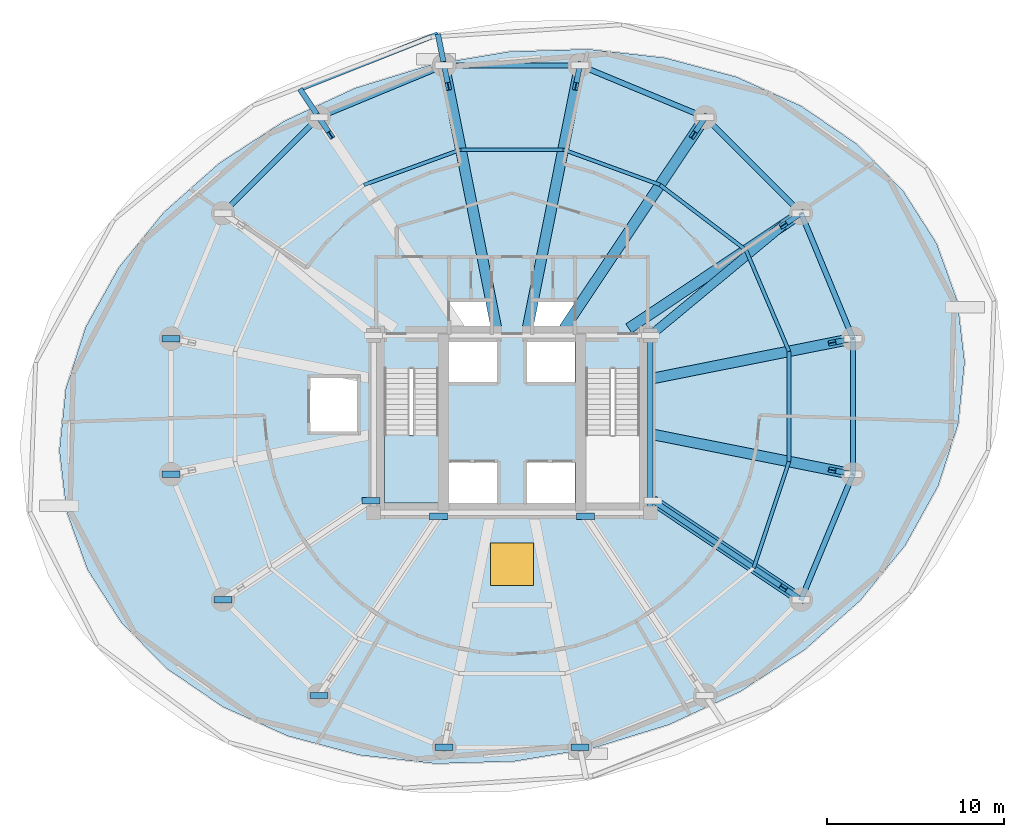
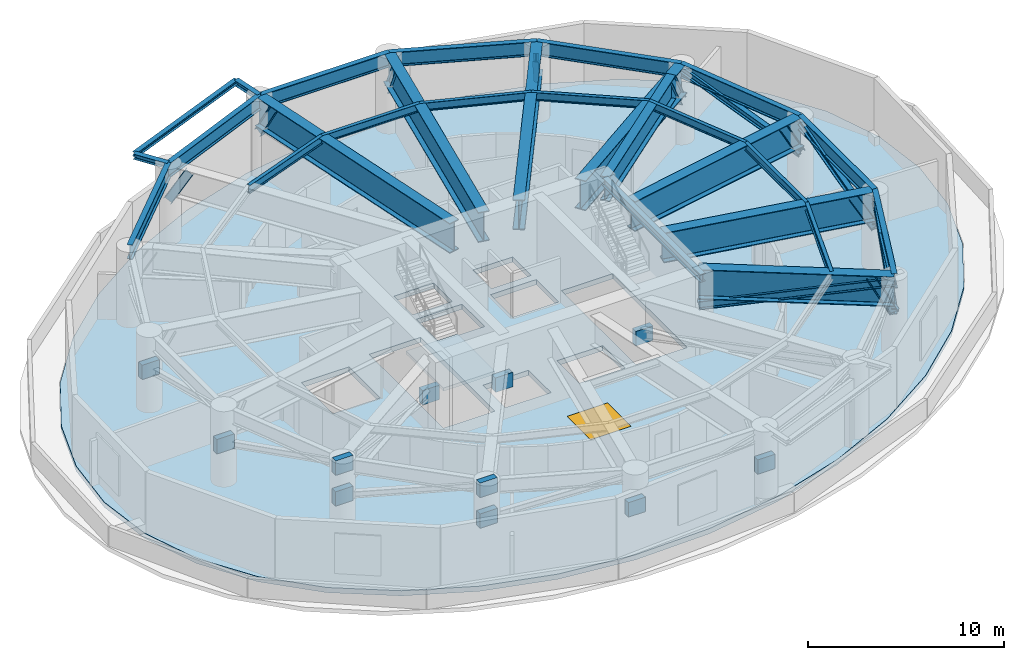
# One storey, part 2 of 8: 27 beams, 12 members, 11 plates, 2 slabs, 1 window, 1 opening, 1 element without a shape of its own.
"""IFC4 building model written with IfcOpenShell, lengths in metres."""

from ifc_helpers import new_model, si_unit, direction, frame, origin, origin_2d, place, context, subcontext, project, spatial, polyline, rectangle, i_section, outline, extrude, material, layer, layer_set, material_profile, profile_set, type_object, element, fill, aggregate, save


model = new_model("IFC4")

# Units and contexts
model_context = context("Model", 3, precision=1e-05, world=origin(), true_north=direction((0.0, 1.0)))
body_context = subcontext(model_context, "Body", "Model", "MODEL_VIEW")
ifc_project = project(units=[si_unit("LENGTHUNIT", "METRE"), si_unit("AREAUNIT", "SQUARE_METRE"), si_unit("VOLUMEUNIT", "CUBIC_METRE"), si_unit("PLANEANGLEUNIT", "RADIAN"), si_unit("MASSUNIT", "GRAM", prefix="KILO"), si_unit("THERMODYNAMICTEMPERATUREUNIT", "KELVIN"), si_unit("POWERUNIT", "WATT")], contexts=[model_context])

# Site, building, storey
site_placement = place(None, origin())
site = spatial("IfcSite", under=ifc_project, at=site_placement, CompositionType="ELEMENT")
building_placement = place(site_placement, origin())
building = spatial("IfcBuilding", under=site, at=building_placement, Name="Ocrelia Relay Tower", CompositionType="ELEMENT")
storey_placement = place(building_placement, frame((0.0, 0.0, 88.800048828125)))
storey = spatial("IfcBuildingStorey", under=building, at=storey_placement, Name="L20", CompositionType="ELEMENT", Elevation=88.800048828125)

# Beams
ifc_material_1 = material(Name="Steel S355", Category="steel")
ifc_material_profile_1 = material_profile(ifc_material_1, i_section(OverallWidth=0.280029296875, OverallDepth=0.27001953125, WebThickness=0.008056640625, FlangeThickness=0.012939453125, FilletRadius=0.02392578125, at=origin_2d()), Name="HEA 280")
ifc_profile_set_1 = profile_set([ifc_material_profile_1], Name="Steel S355")
beam_type_1 = type_object("IfcBeamType", Name="BM-HEA280", PredefinedType="BEAM", material=ifc_profile_set_1)
beam_1_placement = place(storey_placement, frame((29.824951171875, 46.98876953125, 4.5849609375), z_axis=(-0.929424546745, -0.369012211054, 0.0), x_axis=(0.369012211054, -0.929424546745, 0.0)))
element("IfcBeam", 1, at=beam_1_placement, inside=storey, type_object=beam_type_1, Name="L21 Balcony Edge Trimmer Beam B1", PredefinedType="BEAM", context=body_context, shape_type="SweptSolid", body=[
    extrude(i_section(OverallWidth=0.280029296875, OverallDepth=0.27001953125, WebThickness=0.008056640625, FlangeThickness=0.012939453125, FilletRadius=0.02392578125, at=origin_2d()), origin(), (0.0, 0.0, 1.0), 8.375244140625),
])
ifc_material_profile_2 = material_profile(ifc_material_1, i_section(OverallWidth=0.300048828125, OverallDepth=0.330078125, WebThickness=0.009521484375, FlangeThickness=0.0166015625, FilletRadius=0.027099609375, at=origin_2d()), Name="HEA 340")
ifc_profile_set_2 = profile_set([ifc_material_profile_2], Name="Steel S355")
beam_type_2 = type_object("IfcBeamType", Name="BM-HEA340", PredefinedType="BEAM", material=ifc_profile_set_2)
beam_2_placement = place(storey_placement, frame((30.17626953125, 45.223388671875, 4.554931640625), z_axis=(-0.19517704197, 0.980768026746, 0.0), x_axis=(-0.980768026746, -0.19517704197, 0.0)))
element("IfcBeam", 2, at=beam_2_placement, inside=storey, type_object=beam_type_2, Name="L21 Balcony Cantilever Beam B1-1", PredefinedType="BEAM", context=body_context, shape_type="SweptSolid", body=[
    extrude(i_section(OverallWidth=0.300048828125, OverallDepth=0.330078125, WebThickness=0.009521484375, FlangeThickness=0.0166015625, FilletRadius=0.027099609375, at=origin_2d()), origin(), (0.0, 0.0, 1.0), 1.800048828125),
])
beam_3_placement = place(storey_placement, frame((23.11083984375, 42.296875, 4.554931640625), z_axis=(-0.555606717092, 0.831445233267, 0.0), x_axis=(-0.831445233267, -0.555606717092, 0.0)))
element("IfcBeam", 3, at=beam_3_placement, inside=storey, type_object=beam_type_2, Name="L21 Balcony Cantilever Beam B1-2", PredefinedType="BEAM", context=body_context, shape_type="SweptSolid", body=[
    extrude(i_section(OverallWidth=0.300048828125, OverallDepth=0.330078125, WebThickness=0.009521484375, FlangeThickness=0.0166015625, FilletRadius=0.027099609375, at=origin_2d()), origin(), (0.0, 0.0, 1.0), 1.926025390625),
])
ifc_material_profile_3 = material_profile(ifc_material_1, i_section(OverallWidth=0.300048828125, OverallDepth=0.5, WebThickness=0.014404296875, FlangeThickness=0.028076171875, FilletRadius=0.027099609375, at=origin_2d()), Name="HEB 500")
ifc_profile_set_3 = profile_set([ifc_material_profile_3], Name="Steel S355")
beam_type_3 = type_object("IfcBeamType", Name="BM-HEB500", PredefinedType="BEAM", material=ifc_profile_set_3)
beam_4_placement = place(storey_placement, frame((41.800048828125, 20.0, 4.469970703125), z_axis=(0.0, 1.0, 0.0), x_axis=(-1.0, 0.0, 0.0)))
element("IfcBeam", 4, at=beam_4_placement, inside=storey, type_object=beam_type_3, Name="L20 Core Pilaster Tie Beam E", PredefinedType="BEAM", context=body_context, shape_type="SweptSolid", body=[
    extrude(i_section(OverallWidth=0.300048828125, OverallDepth=0.5, WebThickness=0.014404296875, FlangeThickness=0.028076171875, FilletRadius=0.027099609375, at=origin_2d()), origin(), (0.0, 0.0, 1.0), 10.0),
])
ifc_material_profile_4 = material_profile(ifc_material_1, i_section(OverallWidth=0.300048828125, OverallDepth=0.89990234375, WebThickness=0.0185546875, FlangeThickness=0.034912109375, FilletRadius=0.030029296875, at=origin_2d()), Name="HEB 900")
ifc_profile_set_4 = profile_set([ifc_material_profile_4], Name="Steel S355")
beam_type_4 = type_object("IfcBeamType", Name="BM-HEB900", PredefinedType="BEAM", material=ifc_profile_set_4)
beam_5_placement = place(storey_placement, frame((53.223388671875, 29.82373046875, 4.27001953125), z_axis=(-0.382674154222, 0.923883375589, 0.0), x_axis=(-0.923883375589, -0.382674154222, 0.0)))
element("IfcBeam", 5, at=beam_5_placement, inside=storey, type_object=beam_type_4, Name="L20 Perimeter Spandrel Beam S01", PredefinedType="BEAM", context=body_context, shape_type="SweptSolid", body=[
    extrude(i_section(OverallWidth=0.300048828125, OverallDepth=0.89990234375, WebThickness=0.0185546875, FlangeThickness=0.034912109375, FilletRadius=0.030029296875, at=origin_2d()), origin(), (0.0, 0.0, 1.0), 7.6474609375),
])
beam_6_placement = place(storey_placement, frame((50.296875, 36.88916015625, 4.27001953125), z_axis=(-0.707106781187, 0.707106781187, 0.0), x_axis=(-0.707106781187, -0.707106781187, 0.0)))
element("IfcBeam", 6, at=beam_6_placement, inside=storey, type_object=beam_type_4, Name="L20 Perimeter Spandrel Beam S02", PredefinedType="BEAM", context=body_context, shape_type="SweptSolid", body=[
    extrude(i_section(OverallWidth=0.300048828125, OverallDepth=0.89990234375, WebThickness=0.0185546875, FlangeThickness=0.034912109375, FilletRadius=0.030029296875, at=origin_2d()), origin(), (0.0, 0.0, 1.0), 7.647705078125),
])
for number, where, z_axis, x_axis, name in (
    (7, (44.88916015625, 42.296875, 4.27001953125), (-0.923883375589, 0.382674154222, 0.0), (-0.382674154222, -0.923883375589, 0.0), "L20 Perimeter Spandrel Beam S03"),
    (8, (37.82373046875, 45.223388671875, 4.27001953125), (-1.0, 0.0, 0.0), (0.0, -1.0, 0.0), "L20 Perimeter Spandrel Beam S04"),
    (9, (30.17626953125, 45.223388671875, 4.27001953125), (-0.923883375589, -0.382674154222, 0.0), (0.382674154222, -0.923883375589, 0.0), "L20 Perimeter Spandrel Beam S05"),
):
    element("IfcBeam", number, at=place(storey_placement, frame(where, z_axis=z_axis, x_axis=x_axis)), inside=storey, type_object=beam_type_4, Name=name, PredefinedType="BEAM", context=body_context, shape_type="SweptSolid", body=[
        extrude(i_section(OverallWidth=0.300048828125, OverallDepth=0.89990234375, WebThickness=0.0185546875, FlangeThickness=0.034912109375, FilletRadius=0.030029296875, at=origin_2d()), origin(), (0.0, 0.0, 1.0), 7.6474609375),
    ])
beam_7_placement = place(storey_placement, frame((23.11083984375, 42.296875, 4.27001953125), z_axis=(-0.707106781187, -0.707106781187, 0.0), x_axis=(0.707106781187, -0.707106781187, 0.0)))
element("IfcBeam", 10, at=beam_7_placement, inside=storey, type_object=beam_type_4, Name="L20 Perimeter Spandrel Beam S06", PredefinedType="BEAM", context=body_context, shape_type="SweptSolid", body=[
    extrude(i_section(OverallWidth=0.300048828125, OverallDepth=0.89990234375, WebThickness=0.0185546875, FlangeThickness=0.034912109375, FilletRadius=0.030029296875, at=origin_2d()), origin(), (0.0, 0.0, 1.0), 7.647705078125),
])
for number, where, z_axis, x_axis, name in (
    (11, (50.296875, 15.11083984375, 4.27001953125), (0.382674154222, 0.923883375589, 0.0), (-0.923883375589, 0.382674154222, 0.0), "L20 Perimeter Spandrel Beam S15"),
    (12, (53.223388671875, 22.17626953125, 4.27001953125), (0.0, 1.0, 0.0), (-1.0, 0.0, 0.0), "L20 Perimeter Spandrel Beam S16"),
):
    element("IfcBeam", number, at=place(storey_placement, frame(where, z_axis=z_axis, x_axis=x_axis)), inside=storey, type_object=beam_type_4, Name=name, PredefinedType="BEAM", context=body_context, shape_type="SweptSolid", body=[
        extrude(i_section(OverallWidth=0.300048828125, OverallDepth=0.89990234375, WebThickness=0.0185546875, FlangeThickness=0.034912109375, FilletRadius=0.030029296875, at=origin_2d()), origin(), (0.0, 0.0, 1.0), 7.6474609375),
    ])
ifc_material_profile_5 = material_profile(ifc_material_1, i_section(OverallWidth=0.199951171875, OverallDepth=0.5, WebThickness=0.01025390625, FlangeThickness=0.01611328125, FilletRadius=0.02099609375, at=origin_2d()), Name="IPE 500")
ifc_profile_set_5 = profile_set([ifc_material_profile_5], Name="Steel S355")
beam_type_5 = type_object("IfcBeamType", Name="BM-IPE500", PredefinedType="JOIST", material=ifc_profile_set_5)
beam_8_placement = place(storey_placement, frame((49.615966796875, 29.106201171875, 4.469970703125), z_axis=(-0.391375721261, 0.920230973619, 0.0), x_axis=(-0.920230973619, -0.391375721261, 0.0)))
element("IfcBeam", 13, at=beam_8_placement, inside=storey, type_object=beam_type_5, Name="L20 Secondary Floor Joist J01", PredefinedType="JOIST", context=body_context, shape_type="SweptSolid", body=[
    extrude(i_section(OverallWidth=0.199951171875, OverallDepth=0.5, WebThickness=0.01025390625, FlangeThickness=0.01611328125, FilletRadius=0.02099609375, at=origin_2d()), origin(), (0.0, 0.0, 1.0), 6.201171875),
])
beam_9_placement = place(storey_placement, frame((47.18896484375, 34.812744140625, 4.469970703125), z_axis=(-0.796483912043, 0.604659720716, 0.0), x_axis=(-0.604659720716, -0.796483912043, 0.0)))
element("IfcBeam", 14, at=beam_9_placement, inside=storey, type_object=beam_type_5, Name="L20 Secondary Floor Joist J02", PredefinedType="JOIST", context=body_context, shape_type="SweptSolid", body=[
    extrude(i_section(OverallWidth=0.199951171875, OverallDepth=0.5, WebThickness=0.01025390625, FlangeThickness=0.01611328125, FilletRadius=0.02099609375, at=origin_2d()), origin(), (0.0, 0.0, 1.0), 6.0810546875),
])
beam_10_placement = place(storey_placement, frame((42.345458984375, 38.48974609375, 4.469970703125), z_axis=(-0.939636457061, 0.342174412488, 0.0), x_axis=(-0.342174412488, -0.939636457061, 0.0)))
element("IfcBeam", 15, at=beam_10_placement, inside=storey, type_object=beam_type_5, Name="L20 Secondary Floor Joist J03", PredefinedType="JOIST", context=body_context, shape_type="SweptSolid", body=[
    extrude(i_section(OverallWidth=0.199951171875, OverallDepth=0.5, WebThickness=0.01025390625, FlangeThickness=0.01611328125, FilletRadius=0.02099609375, at=origin_2d()), origin(), (0.0, 0.0, 1.0), 5.81640625),
])
beam_11_placement = place(storey_placement, frame((36.880126953125, 40.47998046875, 4.469970703125), z_axis=(-1.0, 0.0, 0.0), x_axis=(0.0, -1.0, 0.0)))
element("IfcBeam", 16, at=beam_11_placement, inside=storey, type_object=beam_type_5, Name="L20 Secondary Floor Joist J04", PredefinedType="JOIST", context=body_context, shape_type="SweptSolid", body=[
    extrude(i_section(OverallWidth=0.199951171875, OverallDepth=0.5, WebThickness=0.01025390625, FlangeThickness=0.01611328125, FilletRadius=0.02099609375, at=origin_2d()), origin(), (0.0, 0.0, 1.0), 5.76025390625),
])
beam_12_placement = place(storey_placement, frame((31.119873046875, 40.47998046875, 4.469970703125), z_axis=(-0.939636457061, -0.342174412488, 0.0), x_axis=(0.342174412488, -0.939636457061, 0.0)))
element("IfcBeam", 17, at=beam_12_placement, inside=storey, type_object=beam_type_5, Name="L20 Secondary Floor Joist J05", PredefinedType="JOIST", context=body_context, shape_type="SweptSolid", body=[
    extrude(i_section(OverallWidth=0.199951171875, OverallDepth=0.5, WebThickness=0.01025390625, FlangeThickness=0.01611328125, FilletRadius=0.02099609375, at=origin_2d()), origin(), (0.0, 0.0, 1.0), 5.81640625),
])
beam_13_placement = place(storey_placement, frame((47.625732421875, 16.8955078125, 4.469970703125), z_axis=(0.314917882261, 0.949118921649, 0.0), x_axis=(-0.949118921649, 0.314917882261, 0.0)))
element("IfcBeam", 18, at=beam_13_placement, inside=storey, type_object=beam_type_5, Name="L20 Secondary Floor Joist J15", PredefinedType="JOIST", context=body_context, shape_type="SweptSolid", body=[
    extrude(i_section(OverallWidth=0.199951171875, OverallDepth=0.5, WebThickness=0.01025390625, FlangeThickness=0.01611328125, FilletRadius=0.02099609375, at=origin_2d()), origin(), (0.0, 0.0, 1.0), 6.31982421875),
])
beam_14_placement = place(storey_placement, frame((49.615966796875, 22.893798828125, 4.469970703125), z_axis=(0.0, 1.0, 0.0), x_axis=(-1.0, 0.0, 0.0)))
element("IfcBeam", 19, at=beam_14_placement, inside=storey, type_object=beam_type_5, Name="L20 Secondary Floor Joist J16", PredefinedType="JOIST", context=body_context, shape_type="SweptSolid", body=[
    extrude(i_section(OverallWidth=0.199951171875, OverallDepth=0.5, WebThickness=0.01025390625, FlangeThickness=0.01611328125, FilletRadius=0.02099609375, at=origin_2d()), origin(), (0.0, 0.0, 1.0), 6.21240234375),
])
ifc_material_profile_6 = material_profile(ifc_material_1, i_section(OverallWidth=0.5, OverallDepth=1.5, WebThickness=0.02587890625, FlangeThickness=0.0380859375, FilletRadius=0.02001953125, at=origin_2d()), Name="WPG 1500x500")
ifc_profile_set_6 = profile_set([ifc_material_profile_6], Name="Steel S355")
beam_type_6 = type_object("IfcBeamType", Name="BM-WPG1500", PredefinedType="T_BEAM", material=ifc_profile_set_6)
beam_15_placement = place(storey_placement, frame((49.299072265625, 36.222412109375, 3.969970703125), z_axis=(-0.769570862751, -0.638561420072, 0.0), x_axis=(0.638561420072, -0.769570862751, 0.0)))
element("IfcBeam", 20, at=beam_15_placement, inside=storey, type_object=beam_type_6, Name="L20 Zone Setback Core Link Girder XL02", PredefinedType="T_BEAM", context=body_context, shape_type="SweptSolid", body=[
    extrude(i_section(OverallWidth=0.5, OverallDepth=1.5, WebThickness=0.02587890625, FlangeThickness=0.0380859375, FilletRadius=0.02001953125, at=origin_2d()), origin(), (0.0, 0.0, 1.0), 9.744384765625),
])
ifc_material_profile_7 = material_profile(ifc_material_1, i_section(OverallWidth=0.60009765625, OverallDepth=1.85009765625, WebThickness=0.028076171875, FlangeThickness=0.0400390625, FilletRadius=0.02001953125, at=origin_2d()), Name="WPG 1850x600")
ifc_profile_set_7 = profile_set([ifc_material_profile_7], Name="Steel S355")
beam_type_7 = type_object("IfcBeamType", Name="BM-WPG1650", PredefinedType="T_BEAM", material=ifc_profile_set_7)
beam_16_placement = place(storey_placement, frame((53.223388671875, 29.82373046875, 3.794921875), z_axis=(-0.980785188863, -0.195090782218, 0.0), x_axis=(0.195090782218, -0.980785188863, 0.0)))
element("IfcBeam", 21, at=beam_16_placement, inside=storey, type_object=beam_type_7, Name="L20 Radial Transfer Girder R01", PredefinedType="T_BEAM", context=body_context, shape_type="SweptSolid", body=[
    extrude(i_section(OverallWidth=0.60009765625, OverallDepth=1.85009765625, WebThickness=0.028076171875, FlangeThickness=0.0400390625, FilletRadius=0.02001953125, at=origin_2d()), origin(), (0.0, 0.0, 1.0), 11.494384765625),
])
beam_17_placement = place(storey_placement, frame((50.296875, 36.88916015625, 3.794921875), z_axis=(-0.83147102407, -0.555568120155, 0.0), x_axis=(0.555568120155, -0.83147102407, 0.0)))
element("IfcBeam", 22, at=beam_17_placement, inside=storey, type_object=beam_type_7, Name="L20 Radial Transfer Girder R02", PredefinedType="T_BEAM", context=body_context, shape_type="SweptSolid", body=[
    extrude(i_section(OverallWidth=0.60009765625, OverallDepth=1.85009765625, WebThickness=0.028076171875, FlangeThickness=0.0400390625, FilletRadius=0.02001953125, at=origin_2d()), origin(), (0.0, 0.0, 1.0), 11.680419921875),
])
beam_18_placement = place(storey_placement, frame((44.88916015625, 42.296875, 3.794921875), z_axis=(-0.555566163001, -0.831472331788, 0.0), x_axis=(0.831472331788, -0.555566163001, 0.0)))
element("IfcBeam", 23, at=beam_18_placement, inside=storey, type_object=beam_type_7, Name="L20 Radial Transfer Girder R03", PredefinedType="T_BEAM", context=body_context, shape_type="SweptSolid", body=[
    extrude(i_section(OverallWidth=0.60009765625, OverallDepth=1.85009765625, WebThickness=0.028076171875, FlangeThickness=0.0400390625, FilletRadius=0.02001953125, at=origin_2d()), origin(), (0.0, 0.0, 1.0), 14.308349609375),
])
for number, where, z_axis, x_axis, name in (
    (24, (37.82373046875, 45.223388671875, 3.794921875), (-0.195084693772, -0.980786399914, 0.0), (0.980786399914, -0.195084693772, 0.0), "L20 Radial Transfer Girder R04"),
    (25, (30.17626953125, 45.223388671875, 3.794921875), (0.195084693772, -0.980786399914, 0.0), (0.980786399914, 0.195084693772, 0.0), "L20 Radial Transfer Girder R05"),
):
    element("IfcBeam", number, at=place(storey_placement, frame(where, z_axis=z_axis, x_axis=x_axis)), inside=storey, type_object=beam_type_7, Name=name, PredefinedType="T_BEAM", context=body_context, shape_type="SweptSolid", body=[
        extrude(i_section(OverallWidth=0.60009765625, OverallDepth=1.85009765625, WebThickness=0.028076171875, FlangeThickness=0.0400390625, FilletRadius=0.02001953125, at=origin_2d()), origin(), (0.0, 0.0, 1.0), 15.11376953125),
    ])
beam_19_placement = place(storey_placement, frame((50.296875, 15.11083984375, 3.794921875), z_axis=(-0.831473650483, 0.555564189407, 0.0), x_axis=(-0.555564189407, -0.831473650483, 0.0)))
element("IfcBeam", 26, at=beam_19_placement, inside=storey, type_object=beam_type_7, Name="L20 Radial Transfer Girder R15", PredefinedType="T_BEAM", context=body_context, shape_type="SweptSolid", body=[
    extrude(i_section(OverallWidth=0.60009765625, OverallDepth=1.85009765625, WebThickness=0.028076171875, FlangeThickness=0.0400390625, FilletRadius=0.02001953125, at=origin_2d()), origin(), (0.0, 0.0, 1.0), 10.038818359375),
])
beam_20_placement = place(storey_placement, frame((53.223388671875, 22.17626953125, 3.794921875), z_axis=(-0.980785188863, 0.195090782218, 0.0), x_axis=(-0.195090782218, -0.980785188863, 0.0)))
element("IfcBeam", 27, at=beam_20_placement, inside=storey, type_object=beam_type_7, Name="L20 Radial Transfer Girder R16", PredefinedType="T_BEAM", context=body_context, shape_type="SweptSolid", body=[
    extrude(i_section(OverallWidth=0.60009765625, OverallDepth=1.85009765625, WebThickness=0.028076171875, FlangeThickness=0.0400390625, FilletRadius=0.02001953125, at=origin_2d()), origin(), (0.0, 0.0, 1.0), 11.494384765625),
])

# Members
ifc_material_profile_8 = material_profile(ifc_material_1, i_section(OverallWidth=0.300048828125, OverallDepth=0.39990234375, WebThickness=0.013427734375, FlangeThickness=0.02392578125, FilletRadius=0.027099609375, at=origin_2d()), Name="HEB 400")
ifc_profile_set_8 = profile_set([ifc_material_profile_8], Name="Steel S355")
member_type_1 = type_object("IfcMemberType", Name="MB-BELT-DIAG", PredefinedType="BRACE", material=ifc_profile_set_8)
for number, where, z_axis, x_axis, name in (
    (28, (53.223388671875, 29.82373046875, 2.349853515625), (-0.369984847346, 0.893247808642, 0.255381215228), (-0.923883375589, -0.382674154222, 0.0), "L20 Perimeter Belt Truss Diagonal B01"),
    (29, (50.296875, 15.11083984375, 2.349853515625), (0.369984847346, 0.893247808642, 0.255381215228), (-0.923883375589, 0.382674154222, 0.0), "L20 Perimeter Belt Truss Diagonal B15"),
):
    element("IfcMember", number, at=place(storey_placement, frame(where, z_axis=z_axis, x_axis=x_axis)), inside=storey, type_object=member_type_1, Name=name, PredefinedType="BRACE", context=body_context, shape_type="SweptSolid", body=[
        extrude(i_section(OverallWidth=0.300048828125, OverallDepth=0.39990234375, WebThickness=0.013427734375, FlangeThickness=0.02392578125, FilletRadius=0.027099609375, at=origin_2d()), origin(), (0.0, 0.0, 1.0), 7.909912109375),
    ])
member_1_placement = place(storey_placement, frame((53.223388671875, 22.17626953125, 2.349853515625), z_axis=(0.0, 0.966839835348, 0.255383501394), x_axis=(-1.0, 0.0, 0.0)))
element("IfcMember", 30, at=member_1_placement, inside=storey, type_object=member_type_1, Name="L20 Perimeter Belt Truss Diagonal B16", PredefinedType="BRACE", context=body_context, shape_type="SweptSolid", body=[
    extrude(i_section(OverallWidth=0.300048828125, OverallDepth=0.39990234375, WebThickness=0.013427734375, FlangeThickness=0.02392578125, FilletRadius=0.027099609375, at=origin_2d()), origin(), (0.0, 0.0, 1.0), 7.90966796875),
])
ifc_material_profile_9 = material_profile(ifc_material_1, i_section(OverallWidth=0.300048828125, OverallDepth=0.5, WebThickness=0.014404296875, FlangeThickness=0.028076171875, FilletRadius=0.027099609375, at=origin_2d()), Name="HEB 500")
ifc_profile_set_9 = profile_set([ifc_material_profile_9], Name="Steel S355")
member_type_2 = type_object("IfcMemberType", Name="MB-OUTRIGGER-DIAG", PredefinedType="BRACE", material=ifc_profile_set_9)
member_2_placement = place(storey_placement, frame((41.949951171875, 20.68798828125, 2.349853515625), z_axis=(0.816668308984, -0.545671732149, 0.187870257982), x_axis=(0.555564189407, 0.831473650483, 0.0)))
element("IfcMember", 31, at=member_2_placement, inside=storey, type_object=member_type_2, Name="L20 Core Outrigger Truss Brace O15", PredefinedType="BRACE", context=body_context, shape_type="SweptSolid", body=[
    extrude(i_section(OverallWidth=0.300048828125, OverallDepth=0.5, WebThickness=0.014404296875, FlangeThickness=0.028076171875, FilletRadius=0.027099609375, at=origin_2d()), origin(), (0.0, 0.0, 1.0), 10.220703125),
])
ifc_material_profile_10 = material_profile(ifc_material_1, i_section(OverallWidth=0.300048828125, OverallDepth=0.5, WebThickness=0.014404296875, FlangeThickness=0.028076171875, FilletRadius=0.027099609375, at=origin_2d()), Name="HEB 500")
ifc_profile_set_10 = profile_set([ifc_material_profile_10], Name="Steel S355")
member_type_3 = type_object("IfcMemberType", Name="MB-RAKER-STRUT", PredefinedType="STRUT", material=ifc_profile_set_10)
for number, where, z_axis, x_axis, name in (
    (32, (53.223388671875, 29.82373046875, 2.349853515625), (-0.483131189319, -0.096105125608, 0.870257466925), (0.195098830296, -0.980783587963, 0.0), "L20 Zone Setback Raker Strut RS01"),
    (33, (50.296875, 36.88916015625, 2.349853515625), (-0.409573762376, -0.273683862258, 0.870256557983), (0.555591879189, -0.831455148387, 0.0), "L20 Zone Setback Raker Strut RS02"),
    (34, (44.88916015625, 42.296875, 2.349853515625), (-0.273683862258, -0.409573762376, 0.870256557983), (0.831455148387, -0.555591879189, 0.0), "L20 Zone Setback Raker Strut RS03"),
    (35, (37.82373046875, 45.223388671875, 2.349853515625), (-0.096105125608, -0.483131189319, 0.870257466925), (0.980783587963, -0.195098830296, 0.0), "L20 Zone Setback Raker Strut RS04"),
    (36, (30.17626953125, 45.223388671875, 2.349853515625), (0.096105125608, -0.483131189319, 0.870257466925), (0.980783587963, 0.195098830296, 0.0), "L20 Zone Setback Raker Strut RS05"),
    (37, (23.11083984375, 42.296875, 2.349853515625), (0.273683862258, -0.409573762376, 0.870256557983), (0.831455148387, 0.555591879189, 0.0), "L20 Zone Setback Raker Strut RS06"),
    (38, (50.296875, 15.11083984375, 2.349853515625), (-0.409573762376, 0.273683862258, 0.870256557983), (-0.555591879189, -0.831455148387, 0.0), "L20 Zone Setback Raker Strut RS15"),
    (39, (53.223388671875, 22.17626953125, 2.349853515625), (-0.483131189319, 0.096105125608, 0.870257466925), (-0.195098830296, -0.980783587963, 0.0), "L20 Zone Setback Raker Strut RS16"),
):
    element("IfcMember", number, at=place(storey_placement, frame(where, z_axis=z_axis, x_axis=x_axis)), inside=storey, type_object=member_type_3, Name=name, PredefinedType="STRUT", context=body_context, shape_type="SweptSolid", body=[
        extrude(i_section(OverallWidth=0.300048828125, OverallDepth=0.5, WebThickness=0.014404296875, FlangeThickness=0.028076171875, FilletRadius=0.027099609375, at=origin_2d()), origin(), (0.0, 0.0, 1.0), 2.436279296875),
    ])

# Plates
ifc_layer_1 = layer(ifc_material_1, 0.035888671875, Name="Steel S355")
ifc_layer_set_1 = layer_set([ifc_layer_1], Name="Steel S355")
plate_type = type_object("IfcPlateType", Name="PL-NODE-ND-03", PredefinedType="USERDEFINED", material=ifc_layer_set_1)
for number, where, z_axis, x_axis, name in (
    (40, (17.703125, 15.11083984375, 3.820068359375), (0.0, 0.0, 1.0), (1.0, 0.0, 0.0), "L20 Outrigger Gusset Node ND-03 (10)"),
    (41, (26.050048828125, 20.68798828125, 1.89990234375), (0.0, 0.0, 1.0), (1.0, 0.0, 0.0), "L20 Outrigger Core Embed Node ND-03 (10)"),
    (42, (23.11083984375, 9.703125, 3.820068359375), (0.0, 0.0, 1.0), (1.0, 0.0, 0.0), "L20 Outrigger Gusset Node ND-03 (11)"),
    (43, (29.857421875, 19.800048828125, 1.89990234375), (0.0, 0.0, 1.0), (1.0, 0.0, 0.0), "L20 Outrigger Core Embed Node ND-03 (11)"),
    (44, (38.142578125, 19.800048828125, 1.89990234375), (0.0, 0.0, 1.0), (1.0, 0.0, 0.0), "L20 Outrigger Core Embed Node ND-03 (14)"),
    (45, (14.776611328125, 29.82373046875, 1.89990234375), (0.0, 0.0, 1.0), (1.0, 0.0, 0.0), "L20 Setback Raker Lower Node ND-03 (08)"),
    (46, (14.776611328125, 22.17626953125, 1.89990234375), (0.0, 0.0, 1.0), (1.0, 0.0, 0.0), "L20 Setback Raker Lower Node ND-03 (09)"),
    (47, (17.703125, 15.11083984375, 1.89990234375), (0.0, 0.0, 1.0), (1.0, 0.0, 0.0), "L20 Setback Raker Lower Node ND-03 (10)"),
    (48, (23.11083984375, 9.703125, 1.89990234375), (0.0, 0.0, 1.0), (1.0, 0.0, 0.0), "L20 Setback Raker Lower Node ND-03 (11)"),
    (49, (30.17626953125, 6.776611328125, 1.89990234375), (0.0, 0.0, 1.0), (1.0, 0.0, 0.0), "L20 Setback Raker Lower Node ND-03 (12)"),
    (50, (37.82373046875, 6.776611328125, 1.89990234375), (0.0, 0.0, 1.0), (1.0, 0.0, 0.0), "L20 Setback Raker Lower Node ND-03 (13)"),
):
    element("IfcPlate", number, at=place(storey_placement, frame(where, z_axis=z_axis, x_axis=x_axis)), inside=storey, type_object=plate_type, Name=name, ObjectType="GUSSET PLATE", PredefinedType="USERDEFINED", context=body_context, shape_type="SweptSolid", body=[
        extrude(rectangle(XDim=1.02001953125, YDim=0.360107421875, at=origin_2d()), origin(), (0.0, 0.0, 1.0), 0.89990234375),
    ])

# Slab, opening, window
ifc_material_2 = material(Name="Concrete C50/60", Category="concrete")
ifc_layer_2 = layer(ifc_material_2, 0.320068359375, Name="Concrete C50/60")
ifc_layer_set_2 = layer_set([ifc_layer_2], Name="Concrete C50/60")
slab_type_1 = type_object("IfcSlabType", Name="SL-FLR-320", PredefinedType="FLOOR", material=ifc_layer_set_2)
slab_1_placement = place(storey_placement, frame((0.0, 0.0, -0.320068359375)))
slab_1 = element("IfcSlab", 51, at=slab_1_placement, inside=storey, type_object=slab_type_1, Name="L20 Elliptical Tower Floor Slab", PredefinedType="FLOOR", context=body_context, shape_type="SweptSolid", body=[
    extrude(outline(polyline([(59.10791015625, 31.935302734375), (57.935546875, 35.191162109375), (56.035888671875, 38.167724609375), (53.466796875, 40.774658203125), (50.305908203125, 42.9326171875), (46.64990234375, 44.575927734375), (42.609375, 45.655029296875), (38.30712890625, 46.136962890625), (33.874267578125, 46.0068359375), (29.445068359375, 45.268798828125), (25.154296875, 43.945556640625), (21.13232421875, 42.076904296875), (17.501220703125, 39.7197265625), (14.37158203125, 36.94580078125), (11.83837890625, 33.839111328125), (9.978271484375, 30.494384765625), (8.848388671875, 27.012939453125), (8.482421875, 23.5009765625), (8.89208984375, 20.064697265625), (10.064453125, 16.808837890625), (11.964111328125, 13.832275390625), (14.533203125, 11.225341796875), (17.694091796875, 9.0673828125), (21.35009765625, 7.424072265625), (25.390625, 6.344970703125), (29.69287109375, 5.863037109375), (34.125732421875, 5.9931640625), (38.554931640625, 6.731201171875), (42.845703125, 8.054443359375), (46.86767578125, 9.923095703125), (50.498779296875, 12.2802734375), (53.62841796875, 15.05419921875), (56.16162109375, 18.160888671875), (58.021728515625, 21.505615234375), (59.151611328125, 24.987060546875), (59.517578125, 28.4990234375), (59.10791015625, 31.935302734375)]), holes=[polyline([(26.81005859375, 28.14990234375), (26.81005859375, 20.550048828125), (29.85009765625, 20.550048828125), (29.85009765625, 28.14990234375), (26.81005859375, 28.14990234375)]), polyline([(38.159912109375, 28.14990234375), (38.159912109375, 20.550048828125), (41.199951171875, 20.550048828125), (41.199951171875, 28.14990234375), (38.159912109375, 28.14990234375)]), polyline([(30.4599609375, 20.550048828125), (33.159912109375, 20.550048828125), (33.159912109375, 22.85009765625), (30.4599609375, 22.85009765625), (30.4599609375, 20.550048828125)]), polyline([(34.840087890625, 20.550048828125), (37.5400390625, 20.550048828125), (37.5400390625, 22.85009765625), (34.840087890625, 22.85009765625), (34.840087890625, 20.550048828125)]), polyline([(30.4599609375, 27.35009765625), (33.159912109375, 27.35009765625), (33.159912109375, 29.64990234375), (30.4599609375, 29.64990234375), (30.4599609375, 27.35009765625)]), polyline([(34.840087890625, 27.35009765625), (37.5400390625, 27.35009765625), (37.5400390625, 29.64990234375), (34.840087890625, 29.64990234375), (34.840087890625, 27.35009765625)]), polyline([(30.5, 30.10009765625), (32.85009765625, 30.10009765625), (32.85009765625, 32.0), (30.5, 32.0), (30.5, 30.10009765625)]), polyline([(35.14990234375, 30.10009765625), (37.5, 30.10009765625), (37.5, 32.0), (35.14990234375, 32.0), (35.14990234375, 30.10009765625)]), polyline([(22.550048828125, 24.5), (25.35009765625, 24.5), (25.35009765625, 27.699951171875), (22.550048828125, 27.699951171875), (22.550048828125, 24.5)])]), origin(), (0.0, 0.0, 1.0), 0.320068359375),
])
opening_placement = place(slab_1_placement, frame((34.0, 17.10009765625, 0.0)))
opening = element("IfcOpeningElement", 52, at=opening_placement, cuts=slab_1, Name="Opening WSK-01", PredefinedType="OPENING", context=body_context, shape_type="SweptSolid", body=[
    extrude(rectangle(XDim=2.39990234375, YDim=2.39990234375, at=origin_2d()), frame((0.0, 0.0, -0.010009765625)), (0.0, 0.0, 1.0), 0.340087890625),
])
ifc_material_3 = material(Name="Clear double-glazed low-E glass", Category="glass")
window_type = type_object("IfcWindowType", Name="WIN-SKY-2400x2400", PartitioningType="SINGLE_PANEL", PredefinedType="SKYLIGHT", material=ifc_material_3)
window_placement = place(opening_placement, frame((0.0, 0.0, 0.27001953125)))
window = element("IfcWindow", 53, at=window_placement, inside=storey, type_object=window_type, Name="L20 Multi-Zone Interior Atrium Skylight", OverallHeight=2.39990234375, OverallWidth=2.39990234375, PartitioningType="SINGLE_PANEL", PredefinedType="SKYLIGHT", context=body_context, shape_type="SweptSolid", body=[
    extrude(rectangle(XDim=2.39990234375, YDim=2.39990234375, at=origin_2d()), origin(), (0.0, 0.0, 1.0), 0.050048828125),
])
fill(opening, window)

# Stair, slab
stair_type = type_object("IfcStairType", Name="ST-DL-1420-R179", PredefinedType="HALF_TURN_STAIR", material=ifc_material_2)
stair_placement = place(storey_placement, origin())
stair = element("IfcStair", 54, at=stair_placement, inside=storey, type_object=stair_type, Name="L20 West Core Exit Stair ST1", PredefinedType="HALF_TURN_STAIR")
ifc_layer_3 = layer(ifc_material_2, 0.199951171875, Name="Concrete C50/60")
ifc_layer_set_3 = layer_set([ifc_layer_3], Name="Concrete C50/60")
slab_type_2 = type_object("IfcSlabType", Name="SL-LANDING-200", PredefinedType="LANDING", material=ifc_layer_set_3)
slab_2_placement = place(storey_placement, frame((0.0, 0.0, 2.300048828125)))
slab_2 = element("IfcSlab", 55, at=slab_2_placement, type_object=slab_type_2, Name="ST1 landing 1", PredefinedType="LANDING", context=body_context, shape_type="SweptSolid", body=[
    extrude(outline(polyline([(26.81005859375, 24.3798828125), (26.81005859375, 20.550048828125), (29.85009765625, 20.550048828125), (29.85009765625, 24.3798828125), (26.81005859375, 24.3798828125)])), origin(), (0.0, 0.0, 1.0), 0.199951171875),
])
aggregate(stair, [slab_2])

save(model, "model.ifc")
